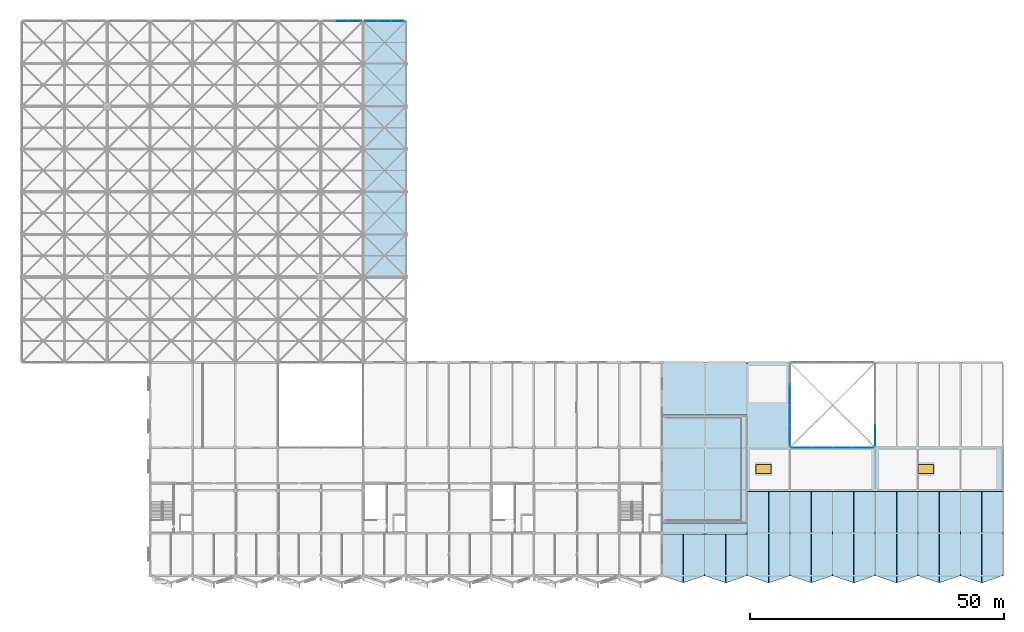
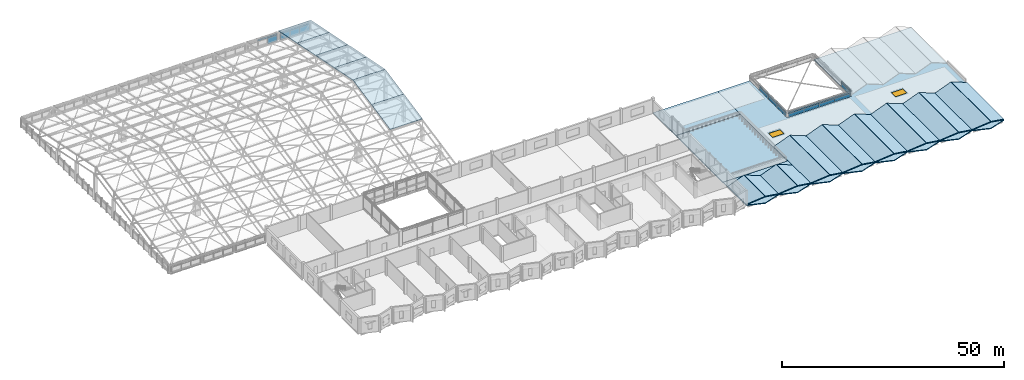
# One storey, part 72 of 81: 25 plates, 25 slabs, 2 windows, 2 openings, 5 elements without a shape of their own.
"""IFC4 building model written with IfcOpenShell, lengths in metres."""

from ifc_helpers import new_model, si_unit, direction, frame, frame_2d, origin, origin_2d, place, context, subcontext, project, spatial, polyline, rectangle, outline, extrude, material, layer, layer_set, type_object, element, fill, aggregate, save


model = new_model("IFC4")

# Units and contexts
model_context = context("Model", 3, precision=1e-05, world=origin(), true_north=direction((0.0, 1.0)))
body_context = subcontext(model_context, "Body", "Model", "MODEL_VIEW")
ifc_project = project(units=[si_unit("LENGTHUNIT", "METRE"), si_unit("AREAUNIT", "SQUARE_METRE"), si_unit("VOLUMEUNIT", "CUBIC_METRE"), si_unit("PLANEANGLEUNIT", "RADIAN"), si_unit("MASSUNIT", "GRAM", prefix="KILO")], contexts=[model_context])

# Site, building, storey
site_placement = place(None, origin())
site = spatial("IfcSite", under=ifc_project, at=site_placement, CompositionType="ELEMENT")
building_placement = place(site_placement, origin())
building = spatial("IfcBuilding", under=site, at=building_placement, Name="Qawsi Khor Wholesale Market", CompositionType="ELEMENT")
storey_placement = place(building_placement, frame((0.0, 0.0, 16.199951171875)))
storey = spatial("IfcBuildingStorey", under=building, at=storey_placement, Name="L03", CompositionType="ELEMENT", Elevation=16.199951171875)

# Slab, openings, windows
ifc_material_1 = material(Name="Concrete C40/50", Category="concrete")
ifc_layer_1 = layer(ifc_material_1, 0.239990234375, Name="Concrete C40/50")
ifc_layer_set_1 = layer_set([ifc_layer_1], Name="Concrete C40/50")
slab_type_1 = type_object("IfcSlabType", Name="Flat Concrete Roof Slab 240 C40/50", PredefinedType="ROOF", material=ifc_layer_set_1)
slab_1_placement = place(storey_placement, frame((0.0, 0.0, -0.239990234375)))
slab_1 = element("IfcSlab", 1, at=slab_1_placement, inside=storey, type_object=slab_type_1, Name="East Wing Roof Slab L03", PredefinedType="ROOF", context=body_context, shape_type="SweptSolid", body=[
    extrude(outline(polyline([(126.02001953125, 10.39990234375), (142.800048828125, 10.39990234375), (142.800048828125, 42.0), (151.199951171875, 42.0), (151.199951171875, 25.199951171875), (168.0, 25.199951171875), (168.0, 42.0), (193.199951171875, 42.0), (193.219970703125, 0.0), (189.02001953125, -1.39990234375), (184.820068359375, 0.0), (180.6201171875, -1.39990234375), (176.419921875, 0.0), (172.219970703125, -1.39990234375), (168.02001953125, 0.0), (163.820068359375, -1.39990234375), (159.6201171875, 0.0), (155.419921875, -1.39990234375), (151.219970703125, 0.0), (147.02001953125, -1.39990234375), (142.820068359375, 0.0), (138.6201171875, -1.39990234375), (134.419921875, 0.0), (130.219970703125, -1.39990234375), (126.02001953125, 0.0), (126.02001953125, 10.39990234375)])), origin(), (0.0, 0.0, 1.0), 0.239990234375),
])
opening_1_placement = place(slab_1_placement, frame((146.0, 21.0, -0.010009765625)))
opening_1 = element("IfcOpeningElement", 2, at=opening_1_placement, cuts=slab_1, Name="Opening SK-02", PredefinedType="OPENING", context=body_context, shape_type="SweptSolid", body=[
    extrude(rectangle(XDim=3.0, YDim=1.800048828125, at=origin_2d()), origin(), (0.0, 0.0, 1.0), 0.260009765625),
])
opening_2_placement = place(slab_1_placement, frame((178.0, 21.0, -0.010009765625)))
opening_2 = element("IfcOpeningElement", 3, at=opening_2_placement, cuts=slab_1, Name="Opening SK-02", PredefinedType="OPENING", context=body_context, shape_type="SweptSolid", body=[
    extrude(rectangle(XDim=3.0, YDim=1.800048828125, at=origin_2d()), origin(), (0.0, 0.0, 1.0), 0.260009765625),
])
ifc_material_2 = material(Name="Thermally Broken Aluminium & Low-E Glass", Category="aluminium")
window_type = type_object("IfcWindowType", Name="Skylight SK-02 Auction Daylight Strip 3000x1800", PartitioningType="SINGLE_PANEL", PredefinedType="SKYLIGHT", material=ifc_material_2)
window_1_placement = place(opening_1_placement, frame((0.0, 0.0, 0.18994140625)))
window_1 = element("IfcWindow", 4, at=window_1_placement, inside=storey, type_object=window_type, Name="Roof skylight 11", OverallHeight=1.800048828125, OverallWidth=3.0, PartitioningType="SINGLE_PANEL", PredefinedType="SKYLIGHT", context=body_context, shape_type="SweptSolid", body=[
    extrude(rectangle(XDim=3.0, YDim=1.800048828125, at=origin_2d()), origin(), (0.0, 0.0, 1.0), 0.050048828125),
])
fill(opening_1, window_1)
window_2_placement = place(opening_2_placement, frame((0.0, 0.0, 0.18994140625)))
window_2 = element("IfcWindow", 5, at=window_2_placement, inside=storey, type_object=window_type, Name="Roof skylight 12", OverallHeight=1.800048828125, OverallWidth=3.0, PartitioningType="SINGLE_PANEL", PredefinedType="SKYLIGHT", context=body_context, shape_type="SweptSolid", body=[
    extrude(rectangle(XDim=3.0, YDim=1.800048828125, at=origin_2d()), origin(), (0.0, 0.0, 1.0), 0.050048828125),
])
fill(opening_2, window_2)

# Slabs
slab_2_placement = place(storey_placement, frame((0.0, 0.0, -0.239990234375)))
element("IfcSlab", 6, at=slab_2_placement, inside=storey, type_object=slab_type_1, Name="East Wing North Strip Roof Slab L03", PredefinedType="ROOF", context=body_context, shape_type="SweptSolid", body=[
    extrude(outline(polyline([(126.02001953125, 31.6201171875), (142.780029296875, 31.6201171875), (142.780029296875, 42.0), (126.02001953125, 42.0), (126.02001953125, 31.6201171875)])), origin(), (0.0, 0.0, 1.0), 0.239990234375),
])
ifc_layer_2 = layer(ifc_material_1, 0.22998046875, Name="Concrete C40/50")
ifc_layer_set_2 = layer_set([ifc_layer_2], Name="Concrete C40/50")
slab_type_2 = type_object("IfcSlabType", Name="Folded Concrete Canopy Slab 230 C40/50", PredefinedType="ROOF", material=ifc_layer_set_2)
slab_3_placement = place(storey_placement, frame((126.0, 0.0, 0.22998046875), z_axis=(-0.363278277529, 0.0, 0.931680681927), x_axis=(0.888915638745, -0.299491290473, 0.346603453711)))
element("IfcSlab", 7, at=slab_3_placement, inside=storey, type_object=slab_type_2, Name="East Wing Folded Concrete Vault South 15A", PredefinedType="ROOF", context=body_context, shape_type="SweptSolid", body=[
    extrude(outline(polyline([(0.0, 0.0), (4.674267293508065, -8.326672684688674e-17), (1.79919477575862, 9.159210967061492), (-2.4558139582831213, 7.823565493011224), (0.0, 0.0)])), origin(), (0.0, 0.0, -1.0), 0.22998046875),
])
slab_4_placement = place(storey_placement, frame((130.2451171875, -1.39990234375, 1.85009765625), z_axis=(0.363296806873, 0.0, 0.931673456806), x_axis=(0.88890467845, 0.299505196042, -0.346619546727)))
element("IfcSlab", 8, at=slab_4_placement, inside=storey, type_object=slab_type_2, Name="East Wing Folded Concrete Vault South 15B", PredefinedType="ROOF", context=body_context, shape_type="SweptSolid", body=[
    extrude(outline(polyline([(0.0, 0.0), (4.674050274426346, -8.326672684688674e-17), (7.1299782576896895, 7.8235296997044905), (2.8752060091671767, 9.159169063092277), (0.0, 0.0)])), origin(), (0.0, 0.0, -1.0), 0.22998046875),
])
slab_5_placement = place(storey_placement, frame((134.39990234375, 0.0, 0.22998046875), z_axis=(-0.363278277529, 0.0, 0.931680681927), x_axis=(0.888915638745, -0.299491290473, 0.346603453711)))
element("IfcSlab", 9, at=slab_5_placement, inside=storey, type_object=slab_type_2, Name="East Wing Folded Concrete Vault South 16A", PredefinedType="ROOF", context=body_context, shape_type="SweptSolid", body=[
    extrude(outline(polyline([(0.0, 0.0), (4.674267293508065, -8.326672684688674e-17), (1.79919477575862, 9.159210967061492), (-2.4558139582831213, 7.823565493011224), (0.0, 0.0)])), origin(), (0.0, 0.0, -1.0), 0.22998046875),
])
slab_6_placement = place(storey_placement, frame((138.64501953125, -1.39990234375, 1.85009765625), z_axis=(0.363278277529, 0.0, 0.931680681927), x_axis=(0.888915638745, 0.299491290473, -0.346603453711)))
element("IfcSlab", 10, at=slab_6_placement, inside=storey, type_object=slab_type_2, Name="East Wing Folded Concrete Vault South 16B", PredefinedType="ROOF", context=body_context, shape_type="SweptSolid", body=[
    extrude(outline(polyline([(0.0, 0.0), (4.674267293508065, 8.326672684688674e-17), (7.130081251791187, 7.823565493011224), (2.875072517749445, 9.159210967061492), (0.0, 0.0)])), origin(), (0.0, 0.0, -1.0), 0.22998046875),
])
slab_7_placement = place(storey_placement, frame((142.800048828125, 0.0, 0.22998046875), z_axis=(-0.363278277529, 0.0, 0.931680681927), x_axis=(0.888915638745, -0.299491290473, 0.346603453711)))
element("IfcSlab", 11, at=slab_7_placement, inside=storey, type_object=slab_type_2, Name="East Wing Folded Concrete Vault South 17A", PredefinedType="ROOF", context=body_context, shape_type="SweptSolid", body=[
    extrude(outline(polyline([(0.0, 0.0), (4.674267293508065, 1.6653345369377348e-16), (-0.7165759350118375, 17.17378261436662), (-4.971584669053579, 15.83813714031635), (0.0, 0.0)])), origin(), (0.0, 0.0, -1.0), 0.22998046875),
])
slab_8_placement = place(storey_placement, frame((147.044921875, -1.39990234375, 1.85009765625), z_axis=(0.363278277529, 0.0, 0.931680681927), x_axis=(0.888915638745, 0.299491290473, -0.346603453711)))
element("IfcSlab", 12, at=slab_8_placement, inside=storey, type_object=slab_type_2, Name="East Wing Folded Concrete Vault South 17B", PredefinedType="ROOF", context=body_context, shape_type="SweptSolid", body=[
    extrude(outline(polyline([(0.0, 0.0), (4.674267293508065, -1.6653345369377348e-16), (9.645851962561643, 15.83813714031635), (5.390843228519902, 17.17378261436662), (0.0, 0.0)])), origin(), (0.0, 0.0, -1.0), 0.22998046875),
])
slab_9_placement = place(storey_placement, frame((151.199951171875, 0.0, 0.22998046875), z_axis=(-0.363278277529, 0.0, 0.931680681927), x_axis=(0.888915638745, -0.299491290473, 0.346603453711)))
element("IfcSlab", 13, at=slab_9_placement, inside=storey, type_object=slab_type_2, Name="East Wing Folded Concrete Vault South 18A", PredefinedType="ROOF", context=body_context, shape_type="SweptSolid", body=[
    extrude(outline(polyline([(0.0, 0.0), (4.674267293508065, 1.6653345369377348e-16), (-0.7165759350118375, 17.17378261436662), (-4.971584669053579, 15.83813714031635), (0.0, 0.0)])), origin(), (0.0, 0.0, -1.0), 0.22998046875),
])
slab_10_placement = place(storey_placement, frame((155.445068359375, -1.39990234375, 1.85009765625), z_axis=(0.363278277529, 0.0, 0.931680681927), x_axis=(0.888915638745, 0.299491290473, -0.346603453711)))
element("IfcSlab", 14, at=slab_10_placement, inside=storey, type_object=slab_type_2, Name="East Wing Folded Concrete Vault South 18B", PredefinedType="ROOF", context=body_context, shape_type="SweptSolid", body=[
    extrude(outline(polyline([(0.0, 0.0), (4.674267293508065, -1.6653345369377348e-16), (9.645851962561643, 15.83813714031635), (5.390843228519902, 17.17378261436662), (0.0, 0.0)])), origin(), (0.0, 0.0, -1.0), 0.22998046875),
])
slab_11_placement = place(storey_placement, frame((159.60009765625, 0.0, 0.22998046875), z_axis=(-0.363296806873, 0.0, 0.931673456806), x_axis=(0.88890467845, -0.299505196042, 0.346619546727)))
element("IfcSlab", 15, at=slab_11_placement, inside=storey, type_object=slab_type_2, Name="East Wing Folded Concrete Vault South 19A", PredefinedType="ROOF", context=body_context, shape_type="SweptSolid", body=[
    extrude(outline(polyline([(0.0, 0.0), (4.674050274426346, 2.498001805406602e-16), (-0.7170432543210825, 17.17370404322543), (-4.9718155028435955, 15.838064679837647), (0.0, 0.0)])), origin(), (0.0, 0.0, -1.0), 0.22998046875),
])
slab_12_placement = place(storey_placement, frame((163.844970703125, -1.39990234375, 1.85009765625), z_axis=(0.363278277529, 0.0, 0.931680681927), x_axis=(0.888915638745, 0.299491290473, -0.346603453711)))
element("IfcSlab", 16, at=slab_12_placement, inside=storey, type_object=slab_type_2, Name="East Wing Folded Concrete Vault South 19B", PredefinedType="ROOF", context=body_context, shape_type="SweptSolid", body=[
    extrude(outline(polyline([(0.0, 0.0), (4.674267293508065, -1.6653345369377348e-16), (9.645851962561643, 15.83813714031635), (5.390843228519902, 17.17378261436662), (0.0, 0.0)])), origin(), (0.0, 0.0, -1.0), 0.22998046875),
])
slab_13_placement = place(storey_placement, frame((168.0, 0.0, 0.22998046875), z_axis=(-0.363278277529, 0.0, 0.931680681927), x_axis=(0.888915638745, -0.299491290473, 0.346603453711)))
element("IfcSlab", 17, at=slab_13_placement, inside=storey, type_object=slab_type_2, Name="East Wing Folded Concrete Vault South 20A", PredefinedType="ROOF", context=body_context, shape_type="SweptSolid", body=[
    extrude(outline(polyline([(0.0, 0.0), (4.674267293508065, 1.6653345369377348e-16), (-0.7165759350118375, 17.17378261436662), (-4.971584669053579, 15.83813714031635), (0.0, 0.0)])), origin(), (0.0, 0.0, -1.0), 0.22998046875),
])
slab_14_placement = place(storey_placement, frame((172.2451171875, -1.39990234375, 1.85009765625), z_axis=(0.363296806873, 0.0, 0.931673456806), x_axis=(0.88890467845, 0.299505196042, -0.346619546727)))
element("IfcSlab", 18, at=slab_14_placement, inside=storey, type_object=slab_type_2, Name="East Wing Folded Concrete Vault South 20B", PredefinedType="ROOF", context=body_context, shape_type="SweptSolid", body=[
    extrude(outline(polyline([(0.0, 0.0), (4.674050274426346, -2.498001805406602e-16), (9.645865777269941, 15.83806467983765), (5.391093528747428, 17.173704043225435), (0.0, 0.0)])), origin(), (0.0, 0.0, -1.0), 0.22998046875),
])
slab_15_placement = place(storey_placement, frame((176.39990234375, 0.0, 0.22998046875), z_axis=(-0.363278277529, 0.0, 0.931680681927), x_axis=(0.888915638745, -0.299491290473, 0.346603453711)))
element("IfcSlab", 19, at=slab_15_placement, inside=storey, type_object=slab_type_2, Name="East Wing Folded Concrete Vault South 21A", PredefinedType="ROOF", context=body_context, shape_type="SweptSolid", body=[
    extrude(outline(polyline([(0.0, 0.0), (4.674267293508065, 1.6653345369377348e-16), (-0.7165759350118375, 17.17378261436662), (-4.971584669053579, 15.83813714031635), (0.0, 0.0)])), origin(), (0.0, 0.0, -1.0), 0.22998046875),
])
slab_16_placement = place(storey_placement, frame((180.64501953125, -1.39990234375, 1.85009765625), z_axis=(0.363278277529, 0.0, 0.931680681927), x_axis=(0.888915638745, 0.299491290473, -0.346603453711)))
element("IfcSlab", 20, at=slab_16_placement, inside=storey, type_object=slab_type_2, Name="East Wing Folded Concrete Vault South 21B", PredefinedType="ROOF", context=body_context, shape_type="SweptSolid", body=[
    extrude(outline(polyline([(0.0, 0.0), (4.674267293508065, -1.6653345369377348e-16), (9.645851962561643, 15.83813714031635), (5.390843228519902, 17.17378261436662), (0.0, 0.0)])), origin(), (0.0, 0.0, -1.0), 0.22998046875),
])
slab_17_placement = place(storey_placement, frame((184.800048828125, 0.0, 0.22998046875), z_axis=(-0.363278277529, 0.0, 0.931680681927), x_axis=(0.888915638745, -0.299491290473, 0.346603453711)))
element("IfcSlab", 21, at=slab_17_placement, inside=storey, type_object=slab_type_2, Name="East Wing Folded Concrete Vault South 22A", PredefinedType="ROOF", context=body_context, shape_type="SweptSolid", body=[
    extrude(outline(polyline([(0.0, 0.0), (4.674267293508065, 1.6653345369377348e-16), (-0.7165759350118375, 17.17378261436662), (-4.971584669053579, 15.83813714031635), (0.0, 0.0)])), origin(), (0.0, 0.0, -1.0), 0.22998046875),
])
slab_18_placement = place(storey_placement, frame((189.044921875, -1.39990234375, 1.85009765625), z_axis=(0.363278277529, 0.0, 0.931680681927), x_axis=(0.888915638745, 0.299491290473, -0.346603453711)))
element("IfcSlab", 22, at=slab_18_placement, inside=storey, type_object=slab_type_2, Name="East Wing Folded Concrete Vault South 22B", PredefinedType="ROOF", context=body_context, shape_type="SweptSolid", body=[
    extrude(outline(polyline([(0.0, 0.0), (4.674267293508065, -1.6653345369377348e-16), (9.645851962561643, 15.83813714031635), (5.390843228519902, 17.17378261436662), (0.0, 0.0)])), origin(), (0.0, 0.0, -1.0), 0.22998046875),
])
ifc_layer_3 = layer(ifc_material_1, 0.25, Name="Concrete C40/50")
ifc_layer_set_3 = layer_set([ifc_layer_3], Name="Concrete C40/50")
slab_type_3 = type_object("IfcSlabType", Name="Outdoor Terrace Structural Slab 250 C40/50", PredefinedType="FLOOR", material=ifc_layer_set_3)
slab_19_placement = place(storey_placement, frame((0.0, 0.0, -0.25)))
element("IfcSlab", 23, at=slab_19_placement, inside=storey, type_object=slab_type_3, Name="L03 East Canteen Roof Terrace Slab", PredefinedType="FLOOR", context=body_context, shape_type="SweptSolid", body=[
    extrude(outline(polyline([(126.02001953125, 10.39990234375), (142.780029296875, 10.39990234375), (142.780029296875, 31.60009765625), (126.02001953125, 31.60009765625), (126.02001953125, 10.39990234375)])), origin(), (0.0, 0.0, 1.0), 0.25),
])
ifc_layer_4 = layer(ifc_material_1, 0.2099609375, Name="Concrete C40/50")
ifc_layer_set_4 = layer_set([ifc_layer_4], Name="Concrete C40/50")
slab_type_4 = type_object("IfcSlabType", Name="Sloped Insulated Roof Deck 210", PredefinedType="ROOF", material=ifc_layer_set_4)
slab_20_placement = place(storey_placement, frame((67.199951171875, 58.800048828125, 5.85009765625), z_axis=(0.0, -0.1983562496, 0.980129990483), x_axis=(1.0, 0.0, 0.0)))
element("IfcSlab", 24, at=slab_20_placement, inside=storey, type_object=slab_type_4, Name="Space frame roof deck WH (8,7)", PredefinedType="ROOF", context=body_context, shape_type="SweptSolid", body=[
    extrude(outline(polyline([(0.0, 0.0), (8.400146484375, 0.0), (8.400146484375, 8.570192143195856), (0.0, 8.570192143195856), (0.0, 0.0)])), origin(), (0.0, 0.0, -1.0), 0.2099609375),
])
slab_21_placement = place(storey_placement, frame((67.199951171875, 67.199951171875, 7.550048828125), z_axis=(0.0, -0.198350711418, 0.98013111127), x_axis=(1.0, 0.0, 0.0)))
element("IfcSlab", 25, at=slab_21_placement, inside=storey, type_object=slab_type_4, Name="Space frame roof deck WH (8,8)", PredefinedType="ROOF", context=body_context, shape_type="SweptSolid", body=[
    extrude(outline(polyline([(0.0, 0.0), (8.400146484375, 0.0), (8.400146484375, 8.570431432881128), (0.0, 8.570431432881128), (0.0, 0.0)])), origin(), (0.0, 0.0, -1.0), 0.2099609375),
])
for number, where, z_axis, x_axis, name in (
    (26, (67.199951171875, 75.60009765625, 9.25), (0.0, 0.1983562496, 0.980129990483), (1.0, 0.0, 0.0), "Space frame roof deck WH (8,9)"),
    (27, (67.199951171875, 84.0, 7.550048828125), (0.0, 0.1983562496, 0.980129990483), (1.0, 0.0, 0.0), "Space frame roof deck WH (8,10)"),
):
    element("IfcSlab", number, at=place(storey_placement, frame(where, z_axis=z_axis, x_axis=x_axis)), inside=storey, type_object=slab_type_4, Name=name, PredefinedType="ROOF", context=body_context, shape_type="SweptSolid", body=[
        extrude(outline(polyline([(0.0, 0.0), (8.400146484375, 0.0), (8.400146484375, 8.570192143195856), (0.0, 8.570192143195856), (0.0, 0.0)])), origin(), (0.0, 0.0, -1.0), 0.2099609375),
    ])
slab_22_placement = place(storey_placement, frame((67.199951171875, 92.39990234375, 5.85009765625), z_axis=(0.0, 0.198350711418, 0.98013111127), x_axis=(1.0, 0.0, 0.0)))
element("IfcSlab", 28, at=slab_22_placement, inside=storey, type_object=slab_type_4, Name="Space frame roof deck WH (8,11)", PredefinedType="ROOF", context=body_context, shape_type="SweptSolid", body=[
    extrude(outline(polyline([(0.0, 0.0), (8.400146484375, 0.0), (8.400146484375, 8.570431432881128), (0.0, 8.570431432881128), (0.0, 0.0)])), origin(), (0.0, 0.0, -1.0), 0.2099609375),
])
slab_23_placement = place(storey_placement, frame((67.199951171875, 100.800048828125, 4.150146484375), z_axis=(0.0, 0.198383615716, 0.9801244518), x_axis=(1.0, 0.0, 0.0)))
element("IfcSlab", 29, at=slab_23_placement, inside=storey, type_object=slab_type_4, Name="Space frame roof deck WH (8,12)", PredefinedType="ROOF", context=body_context, shape_type="SweptSolid", body=[
    extrude(outline(polyline([(0.0, 0.0), (8.400146484375, 0.0), (8.400146484375, 8.570240573355203), (0.0, 8.570240573355203), (0.0, 0.0)])), origin(), (0.0, 0.0, -1.0), 0.2099609375),
])

# Curtain wall, plates
ifc_material_3 = material(Name="Aluminium Anodised Bronze", Category="aluminium")
ifc_layer_5 = layer(ifc_material_3, 0.179931640625, Name="Aluminium Anodised Bronze")
ifc_layer_set_5 = layer_set([ifc_layer_5], Name="Aluminium Anodised Bronze")
curtain_wall_type_1 = type_object("IfcCurtainWallType", Name="Atrium Full-Height Curtain Wall CW-02", PredefinedType="NOTDEFINED", material=ifc_layer_set_5)
curtain_wall_1_placement = place(storey_placement, origin())
curtain_wall_1 = element("IfcCurtainWall", 30, at=curtain_wall_1_placement, inside=storey, type_object=curtain_wall_type_1, Name="Curtain wall CW-CW-02-L03-050", PredefinedType="NOTDEFINED")
ifc_material_4 = material(Name="Tempered Low-E Solar Glass", Category="glass")
ifc_layer_6 = layer(ifc_material_4, 0.031982421875, Name="Tempered Low-E Solar Glass")
ifc_layer_set_6 = layer_set([ifc_layer_6], Name="Tempered Low-E Solar Glass")
plate_type_1 = type_object("IfcPlateType", Name="Solar Double-Glazed Unit CW-02 32mm", PredefinedType="CURTAIN_PANEL", material=ifc_layer_set_6)
plate_1_placement = place(storey_placement, frame((151.594970703125, 25.199951171875, 0.005126953125), z_axis=(0.0, 0.0, 1.0), x_axis=(1.0, 0.0, 0.0)))
plate_1 = element("IfcPlate", 31, at=plate_1_placement, type_object=plate_type_1, Name="Curtain panel CW-CW-02-L03-050-P0_00", PredefinedType="CURTAIN_PANEL", context=body_context, shape_type="SweptSolid", body=[
    extrude(rectangle(XDim=4.00244140625, YDim=0.031982421875, at=frame_2d((2.001220703125, 0.0))), origin(), (0.0, 0.0, 1.0), 0.989990234375),
])
plate_2_placement = place(storey_placement, frame((155.597412109375, 25.199951171875, 0.005126953125), z_axis=(0.0, 0.0, 1.0), x_axis=(1.0, 0.0, 0.0)))
plate_2 = element("IfcPlate", 32, at=plate_2_placement, type_object=plate_type_1, Name="Curtain panel CW-CW-02-L03-050-P0_01", PredefinedType="CURTAIN_PANEL", context=body_context, shape_type="SweptSolid", body=[
    extrude(rectangle(XDim=4.002685546875, YDim=0.031982421875, at=frame_2d((2.00146484375, 0.0))), origin(), (0.0, 0.0, 1.0), 0.989990234375),
])
plate_3_placement = place(storey_placement, frame((159.60009765625, 25.199951171875, 0.005126953125), z_axis=(0.0, 0.0, 1.0), x_axis=(1.0, 0.0, 0.0)))
plate_3 = element("IfcPlate", 33, at=plate_3_placement, type_object=plate_type_1, Name="Curtain panel CW-CW-02-L03-050-P0_02", PredefinedType="CURTAIN_PANEL", context=body_context, shape_type="SweptSolid", body=[
    extrude(rectangle(XDim=4.00244140625, YDim=0.031982421875, at=frame_2d((2.001220703125, 0.0))), origin(), (0.0, 0.0, 1.0), 0.989990234375),
])
plate_4_placement = place(storey_placement, frame((163.6025390625, 25.199951171875, 0.005126953125), z_axis=(0.0, 0.0, 1.0), x_axis=(1.0, 0.0, 0.0)))
plate_4 = element("IfcPlate", 34, at=plate_4_placement, type_object=plate_type_1, Name="Curtain panel CW-CW-02-L03-050-P0_03", PredefinedType="CURTAIN_PANEL", context=body_context, shape_type="SweptSolid", body=[
    extrude(rectangle(XDim=4.00244140625, YDim=0.031982421875, at=frame_2d((2.001220703125, 0.0))), origin(), (0.0, 0.0, 1.0), 0.989990234375),
])
plate_5_placement = place(storey_placement, frame((151.594970703125, 25.199951171875, 1.005126953125), z_axis=(0.0, 0.0, 1.0), x_axis=(1.0, 0.0, 0.0)))
plate_5 = element("IfcPlate", 35, at=plate_5_placement, type_object=plate_type_1, Name="Curtain panel CW-CW-02-L03-050-P1_00", PredefinedType="CURTAIN_PANEL", context=body_context, shape_type="SweptSolid", body=[
    extrude(rectangle(XDim=4.00244140625, YDim=0.031982421875, at=frame_2d((2.001220703125, 0.0))), origin(), (0.0, 0.0, 1.0), 0.43994140625),
])
plate_6_placement = place(storey_placement, frame((155.597412109375, 25.199951171875, 1.005126953125), z_axis=(0.0, 0.0, 1.0), x_axis=(1.0, 0.0, 0.0)))
plate_6 = element("IfcPlate", 36, at=plate_6_placement, type_object=plate_type_1, Name="Curtain panel CW-CW-02-L03-050-P1_01", PredefinedType="CURTAIN_PANEL", context=body_context, shape_type="SweptSolid", body=[
    extrude(rectangle(XDim=4.002685546875, YDim=0.031982421875, at=frame_2d((2.00146484375, 0.0))), origin(), (0.0, 0.0, 1.0), 0.43994140625),
])
plate_7_placement = place(storey_placement, frame((159.60009765625, 25.199951171875, 1.005126953125), z_axis=(0.0, 0.0, 1.0), x_axis=(1.0, 0.0, 0.0)))
plate_7 = element("IfcPlate", 37, at=plate_7_placement, type_object=plate_type_1, Name="Curtain panel CW-CW-02-L03-050-P1_02", PredefinedType="CURTAIN_PANEL", context=body_context, shape_type="SweptSolid", body=[
    extrude(rectangle(XDim=4.00244140625, YDim=0.031982421875, at=frame_2d((2.001220703125, 0.0))), origin(), (0.0, 0.0, 1.0), 0.43994140625),
])
plate_8_placement = place(storey_placement, frame((163.6025390625, 25.199951171875, 1.005126953125), z_axis=(0.0, 0.0, 1.0), x_axis=(1.0, 0.0, 0.0)))
plate_8 = element("IfcPlate", 38, at=plate_8_placement, type_object=plate_type_1, Name="Curtain panel CW-CW-02-L03-050-P1_03", PredefinedType="CURTAIN_PANEL", context=body_context, shape_type="SweptSolid", body=[
    extrude(rectangle(XDim=4.00244140625, YDim=0.031982421875, at=frame_2d((2.001220703125, 0.0))), origin(), (0.0, 0.0, 1.0), 0.43994140625),
])
aggregate(curtain_wall_1, [plate_1, plate_2, plate_3, plate_4, plate_5, plate_6, plate_7, plate_8])

curtain_wall_2_placement = place(storey_placement, origin())
curtain_wall_2 = element("IfcCurtainWall", 39, at=curtain_wall_2_placement, inside=storey, type_object=curtain_wall_type_1, Name="Curtain wall CW-CW-02-L03-052", PredefinedType="NOTDEFINED")
plate_9_placement = place(storey_placement, frame((151.199951171875, 25.594970703125, 0.005126953125), z_axis=(0.0, 0.0, 1.0), x_axis=(0.0, 1.0, 0.0)))
plate_9 = element("IfcPlate", 40, at=plate_9_placement, type_object=plate_type_1, Name="Curtain panel CW-CW-02-L03-052-P0_00", PredefinedType="CURTAIN_PANEL", context=body_context, shape_type="SweptSolid", body=[
    extrude(rectangle(XDim=4.00244140625, YDim=0.031982421875, at=frame_2d((2.001220703125, 0.0))), origin(), (0.0, 0.0, 1.0), 0.989990234375),
])
plate_10_placement = place(storey_placement, frame((151.199951171875, 29.597412109375, 0.005126953125), z_axis=(0.0, 0.0, 1.0), x_axis=(0.0, 1.0, 0.0)))
plate_10 = element("IfcPlate", 41, at=plate_10_placement, type_object=plate_type_1, Name="Curtain panel CW-CW-02-L03-052-P0_01", PredefinedType="CURTAIN_PANEL", context=body_context, shape_type="SweptSolid", body=[
    extrude(rectangle(XDim=4.002685546875, YDim=0.031982421875, at=frame_2d((2.00146484375, 0.0))), origin(), (0.0, 0.0, 1.0), 0.989990234375),
])
plate_11_placement = place(storey_placement, frame((151.199951171875, 33.60009765625, 0.005126953125), z_axis=(0.0, 0.0, 1.0), x_axis=(0.0, 1.0, 0.0)))
plate_11 = element("IfcPlate", 42, at=plate_11_placement, type_object=plate_type_1, Name="Curtain panel CW-CW-02-L03-052-P0_02", PredefinedType="CURTAIN_PANEL", context=body_context, shape_type="SweptSolid", body=[
    extrude(rectangle(XDim=4.00244140625, YDim=0.031982421875, at=frame_2d((2.001220703125, 0.0))), origin(), (0.0, 0.0, 1.0), 0.989990234375),
])
plate_12_placement = place(storey_placement, frame((151.199951171875, 25.594970703125, 1.005126953125), z_axis=(0.0, 0.0, 1.0), x_axis=(0.0, 1.0, 0.0)))
plate_12 = element("IfcPlate", 43, at=plate_12_placement, type_object=plate_type_1, Name="Curtain panel CW-CW-02-L03-052-P1_00", PredefinedType="CURTAIN_PANEL", context=body_context, shape_type="SweptSolid", body=[
    extrude(rectangle(XDim=4.00244140625, YDim=0.031982421875, at=frame_2d((2.001220703125, 0.0))), origin(), (0.0, 0.0, 1.0), 0.43994140625),
])
plate_13_placement = place(storey_placement, frame((151.199951171875, 29.597412109375, 1.005126953125), z_axis=(0.0, 0.0, 1.0), x_axis=(0.0, 1.0, 0.0)))
plate_13 = element("IfcPlate", 44, at=plate_13_placement, type_object=plate_type_1, Name="Curtain panel CW-CW-02-L03-052-P1_01", PredefinedType="CURTAIN_PANEL", context=body_context, shape_type="SweptSolid", body=[
    extrude(rectangle(XDim=4.002685546875, YDim=0.031982421875, at=frame_2d((2.00146484375, 0.0))), origin(), (0.0, 0.0, 1.0), 0.43994140625),
])
plate_14_placement = place(storey_placement, frame((151.199951171875, 33.60009765625, 1.005126953125), z_axis=(0.0, 0.0, 1.0), x_axis=(0.0, 1.0, 0.0)))
plate_14 = element("IfcPlate", 45, at=plate_14_placement, type_object=plate_type_1, Name="Curtain panel CW-CW-02-L03-052-P1_02", PredefinedType="CURTAIN_PANEL", context=body_context, shape_type="SweptSolid", body=[
    extrude(rectangle(XDim=4.00244140625, YDim=0.031982421875, at=frame_2d((2.001220703125, 0.0))), origin(), (0.0, 0.0, 1.0), 0.43994140625),
])
aggregate(curtain_wall_2, [plate_9, plate_10, plate_11, plate_12, plate_13, plate_14])

curtain_wall_3_placement = place(storey_placement, origin())
curtain_wall_3 = element("IfcCurtainWall", 46, at=curtain_wall_3_placement, inside=storey, type_object=curtain_wall_type_1, Name="Curtain wall CW-CW-02-L03-053", PredefinedType="NOTDEFINED")
plate_15_placement = place(storey_placement, frame((168.0, 25.594970703125, 0.005126953125), z_axis=(0.0, 0.0, 1.0), x_axis=(0.0, 1.0, 0.0)))
plate_15 = element("IfcPlate", 47, at=plate_15_placement, type_object=plate_type_1, Name="Curtain panel CW-CW-02-L03-053-P0_00", PredefinedType="CURTAIN_PANEL", context=body_context, shape_type="SweptSolid", body=[
    extrude(rectangle(XDim=4.00244140625, YDim=0.031982421875, at=frame_2d((2.001220703125, 0.0))), origin(), (0.0, 0.0, 1.0), 0.989990234375),
])
plate_16_placement = place(storey_placement, frame((168.0, 25.594970703125, 1.005126953125), z_axis=(0.0, 0.0, 1.0), x_axis=(0.0, 1.0, 0.0)))
plate_16 = element("IfcPlate", 48, at=plate_16_placement, type_object=plate_type_1, Name="Curtain panel CW-CW-02-L03-053-P1_00", PredefinedType="CURTAIN_PANEL", context=body_context, shape_type="SweptSolid", body=[
    extrude(rectangle(XDim=4.00244140625, YDim=0.031982421875, at=frame_2d((2.001220703125, 0.0))), origin(), (0.0, 0.0, 1.0), 0.43994140625),
])
aggregate(curtain_wall_3, [plate_15, plate_16])

ifc_layer_7 = layer(ifc_material_3, 0.199951171875, Name="Aluminium Anodised Bronze")
ifc_layer_set_7 = layer_set([ifc_layer_7], Name="Aluminium Anodised Bronze")
curtain_wall_type_2 = type_object("IfcCurtainWallType", Name="Trading Hall North-Light Curtain Wall CW-03", PredefinedType="NOTDEFINED", material=ifc_layer_set_7)
curtain_wall_4_placement = place(storey_placement, origin())
curtain_wall_4 = element("IfcCurtainWall", 49, at=curtain_wall_4_placement, inside=storey, type_object=curtain_wall_type_2, Name="Curtain wall CW-CW-03-L03-127", PredefinedType="NOTDEFINED")
ifc_layer_8 = layer(ifc_material_4, 0.0419921875, Name="Tempered Low-E Solar Glass")
ifc_layer_set_8 = layer_set([ifc_layer_8], Name="Tempered Low-E Solar Glass")
plate_type_2 = type_object("IfcPlateType", Name="Solar Double-Glazed Unit CW-03 42mm", PredefinedType="CURTAIN_PANEL", material=ifc_layer_set_8)
plate_17_placement = place(storey_placement, frame((64.25927734375, 109.199951171875, -0.27490234375), z_axis=(0.0, 0.0, 1.0), x_axis=(1.0, 0.0, 0.0)))
plate_17 = element("IfcPlate", 50, at=plate_17_placement, type_object=plate_type_2, Name="Curtain panel CW-CW-03-L03-127-P0_02", PredefinedType="CURTAIN_PANEL", context=body_context, shape_type="SweptSolid", body=[
    extrude(rectangle(XDim=2.518310546875, YDim=0.0419921875, at=frame_2d((1.25927734375, 0.0))), origin(), (0.0, 0.0, 1.0), 1.719970703125),
])
plate_18_placement = place(storey_placement, frame((61.74072265625, 109.199951171875, 1.455078125), z_axis=(0.0, 0.0, 1.0), x_axis=(1.0, 0.0, 0.0)))
plate_18 = element("IfcPlate", 51, at=plate_18_placement, type_object=plate_type_2, Name="Curtain panel CW-CW-03-L03-127-P1_01", PredefinedType="CURTAIN_PANEL", context=body_context, shape_type="SweptSolid", body=[
    extrude(rectangle(XDim=2.5185546875, YDim=0.0419921875, at=frame_2d((1.25927734375, 0.0))), origin(), (0.0, 0.0, 1.0), 0.43994140625),
])
plate_19_placement = place(storey_placement, frame((64.25927734375, 109.199951171875, 1.455078125), z_axis=(0.0, 0.0, 1.0), x_axis=(1.0, 0.0, 0.0)))
plate_19 = element("IfcPlate", 52, at=plate_19_placement, type_object=plate_type_2, Name="Curtain panel CW-CW-03-L03-127-P1_02", PredefinedType="CURTAIN_PANEL", context=body_context, shape_type="SweptSolid", body=[
    extrude(rectangle(XDim=2.518310546875, YDim=0.0419921875, at=frame_2d((1.25927734375, 0.0))), origin(), (0.0, 0.0, 1.0), 0.43994140625),
])
aggregate(curtain_wall_4, [plate_17, plate_18, plate_19])

curtain_wall_5_placement = place(storey_placement, origin())
curtain_wall_5 = element("IfcCurtainWall", 53, at=curtain_wall_5_placement, inside=storey, type_object=curtain_wall_type_2, Name="Curtain wall CW-CW-03-L03-128", PredefinedType="NOTDEFINED")
plate_20_placement = place(storey_placement, frame((67.62255859375, 109.199951171875, -0.27490234375), z_axis=(0.0, 0.0, 1.0), x_axis=(1.0, 0.0, 0.0)))
plate_20 = element("IfcPlate", 54, at=plate_20_placement, type_object=plate_type_2, Name="Curtain panel CW-CW-03-L03-128-P0_00", PredefinedType="CURTAIN_PANEL", context=body_context, shape_type="SweptSolid", body=[
    extrude(rectangle(XDim=2.518310546875, YDim=0.0419921875, at=frame_2d((1.25927734375, 0.0))), origin(), (0.0, 0.0, 1.0), 1.719970703125),
])
plate_21_placement = place(storey_placement, frame((70.140869140625, 109.199951171875, -0.27490234375), z_axis=(0.0, 0.0, 1.0), x_axis=(1.0, 0.0, 0.0)))
plate_21 = element("IfcPlate", 55, at=plate_21_placement, type_object=plate_type_2, Name="Curtain panel CW-CW-03-L03-128-P0_01", PredefinedType="CURTAIN_PANEL", context=body_context, shape_type="SweptSolid", body=[
    extrude(rectangle(XDim=2.518310546875, YDim=0.0419921875, at=frame_2d((1.25927734375, 0.0))), origin(), (0.0, 0.0, 1.0), 1.719970703125),
])
plate_22_placement = place(storey_placement, frame((72.6591796875, 109.199951171875, -0.27490234375), z_axis=(0.0, 0.0, 1.0), x_axis=(1.0, 0.0, 0.0)))
plate_22 = element("IfcPlate", 56, at=plate_22_placement, type_object=plate_type_2, Name="Curtain panel CW-CW-03-L03-128-P0_02", PredefinedType="CURTAIN_PANEL", context=body_context, shape_type="SweptSolid", body=[
    extrude(rectangle(XDim=2.518310546875, YDim=0.0419921875, at=frame_2d((1.25927734375, 0.0))), origin(), (0.0, 0.0, 1.0), 1.719970703125),
])
plate_23_placement = place(storey_placement, frame((67.62255859375, 109.199951171875, 1.455078125), z_axis=(0.0, 0.0, 1.0), x_axis=(1.0, 0.0, 0.0)))
plate_23 = element("IfcPlate", 57, at=plate_23_placement, type_object=plate_type_2, Name="Curtain panel CW-CW-03-L03-128-P1_00", PredefinedType="CURTAIN_PANEL", context=body_context, shape_type="SweptSolid", body=[
    extrude(rectangle(XDim=2.518310546875, YDim=0.0419921875, at=frame_2d((1.25927734375, 0.0))), origin(), (0.0, 0.0, 1.0), 0.43994140625),
])
plate_24_placement = place(storey_placement, frame((70.140869140625, 109.199951171875, 1.455078125), z_axis=(0.0, 0.0, 1.0), x_axis=(1.0, 0.0, 0.0)))
plate_24 = element("IfcPlate", 58, at=plate_24_placement, type_object=plate_type_2, Name="Curtain panel CW-CW-03-L03-128-P1_01", PredefinedType="CURTAIN_PANEL", context=body_context, shape_type="SweptSolid", body=[
    extrude(rectangle(XDim=2.518310546875, YDim=0.0419921875, at=frame_2d((1.25927734375, 0.0))), origin(), (0.0, 0.0, 1.0), 0.43994140625),
])
plate_25_placement = place(storey_placement, frame((72.6591796875, 109.199951171875, 1.455078125), z_axis=(0.0, 0.0, 1.0), x_axis=(1.0, 0.0, 0.0)))
plate_25 = element("IfcPlate", 59, at=plate_25_placement, type_object=plate_type_2, Name="Curtain panel CW-CW-03-L03-128-P1_02", PredefinedType="CURTAIN_PANEL", context=body_context, shape_type="SweptSolid", body=[
    extrude(rectangle(XDim=2.518310546875, YDim=0.0419921875, at=frame_2d((1.25927734375, 0.0))), origin(), (0.0, 0.0, 1.0), 0.43994140625),
])
aggregate(curtain_wall_5, [plate_20, plate_21, plate_22, plate_23, plate_24, plate_25])

save(model, "model.ifc")
